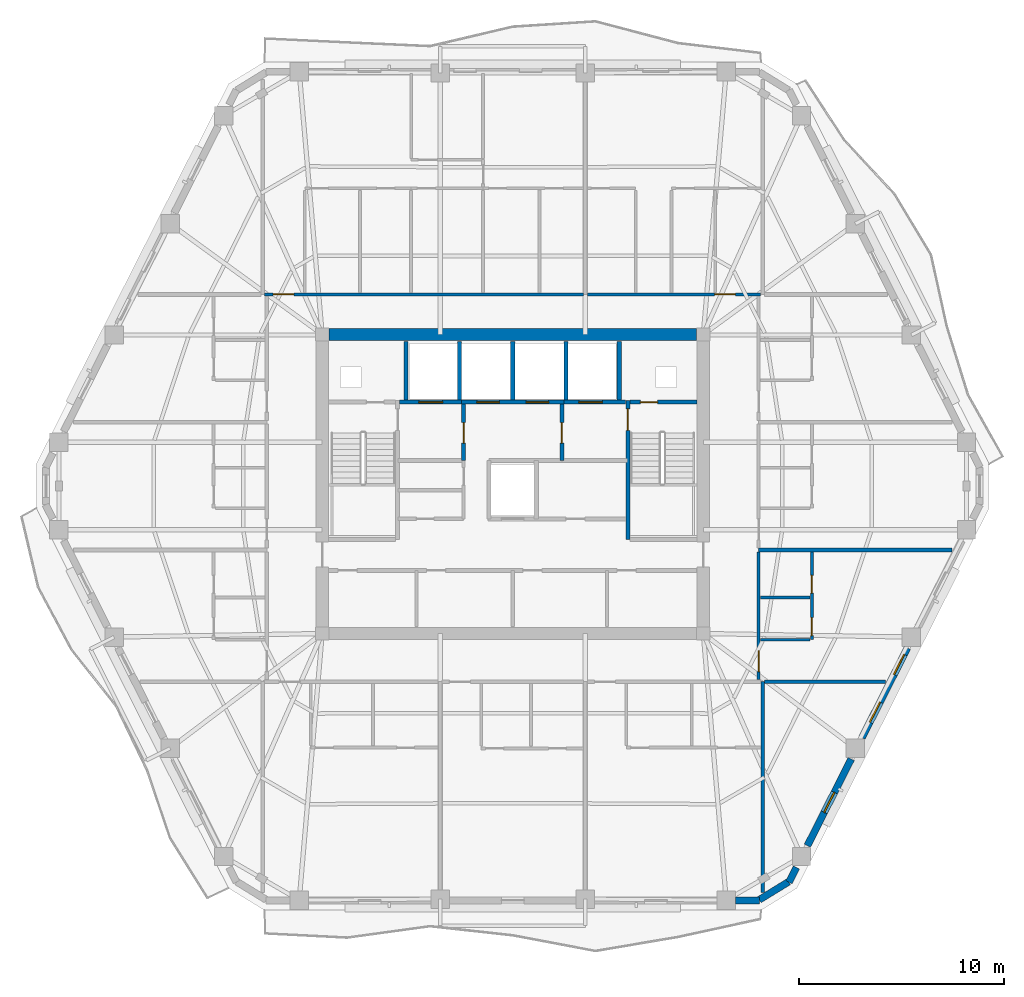
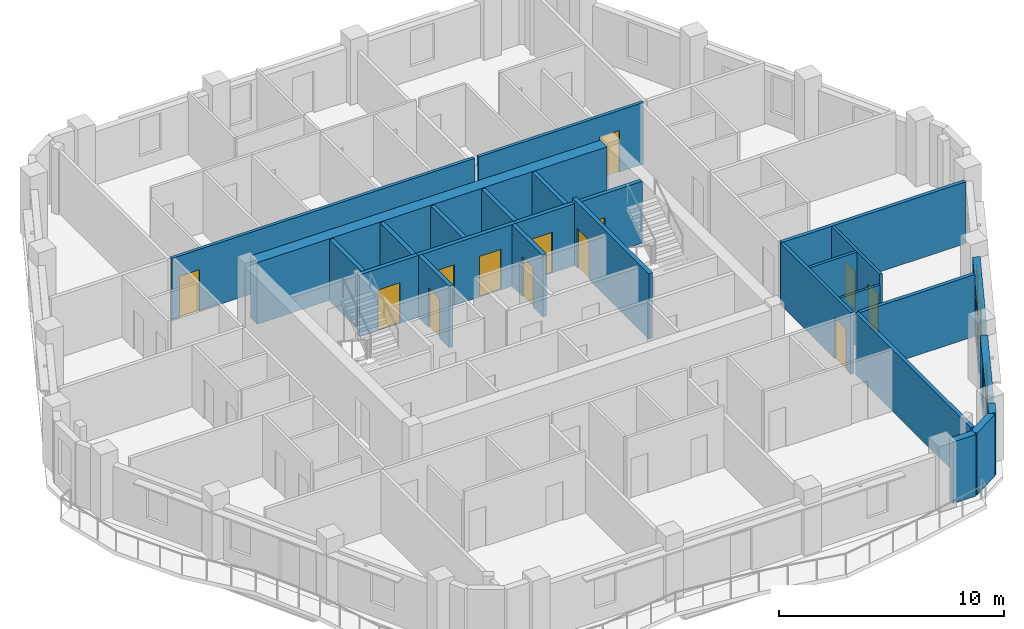
# One storey, part 6 of 11: 27 walls, 13 doors, 3 windows, 16 openings.
"""IFC4 building model written with IfcOpenShell, lengths in metres."""

from ifc_helpers import new_model, si_unit, direction, frame, frame_2d, origin, place, context, subcontext, project, spatial, rectangle, extrude, material, layer, layer_set, type_object, element, fill, save


model = new_model("IFC4")

# Units and contexts
model_context = context("Model", 3, precision=1e-05, world=origin(), true_north=direction((0.0, 1.0)))
body_context = subcontext(model_context, "Body", "Model", "MODEL_VIEW")
ifc_project = project(units=[si_unit("LENGTHUNIT", "METRE"), si_unit("AREAUNIT", "SQUARE_METRE"), si_unit("VOLUMEUNIT", "CUBIC_METRE"), si_unit("PLANEANGLEUNIT", "RADIAN"), si_unit("MASSUNIT", "GRAM", prefix="KILO")], contexts=[model_context])

# Site, building, storey
site_placement = place(None, origin())
site = spatial("IfcSite", under=ifc_project, at=site_placement, CompositionType="ELEMENT")
building_placement = place(site_placement, origin())
building = spatial("IfcBuilding", under=site, at=building_placement, Name="Cinnabar Lancet Tower", CompositionType="ELEMENT")
storey_placement = place(building_placement, frame((0.0, 0.0, 200.300048828125)))
storey = spatial("IfcBuildingStorey", under=building, at=storey_placement, Name="L53", CompositionType="ELEMENT", Elevation=200.300048828125)

# Wall, opening, door
ifc_material_1 = material(Name="Acoustic twin-stud gypsum partition", Category="gypsum")
ifc_layer_1 = layer(ifc_material_1, 0.159912109375)
ifc_layer_set_1 = layer_set([ifc_layer_1], Name="Acoustic twin-stud gypsum partition")
wall_type_1 = type_object("IfcWallType", Name="ARC-WL-CORR-160", PredefinedType="PARTITIONING", material=ifc_layer_set_1)
wall_1_placement = place(storey_placement, frame((20.294921875, 35.14990234375, 0.0), z_axis=(0.0, 0.0, 1.0), x_axis=(1.0, 0.0, 0.0)))
wall_1 = element("IfcWall", 1, at=wall_1_placement, inside=storey, type_object=wall_type_1, Name="L53 Unit N01 Corridor Wall", PredefinedType="PARTITIONING", context=body_context, shape_type="SweptSolid", body=[
    extrude(rectangle(XDim=15.552978515625, YDim=0.159912109375, at=frame_2d((7.7763671875, 0.0))), origin(), (0.0, 0.0, 1.0), 3.349853515625),
])
opening_1_placement = place(wall_1_placement, frame((0.405029296875, 0.0, 0.0)))
opening_1 = element("IfcOpeningElement", 2, at=opening_1_placement, cuts=wall_1, Name="Opening UD-01", PredefinedType="OPENING", context=body_context, shape_type="SweptSolid", body=[
    extrude(rectangle(XDim=1.02001953125, YDim=2.25, at=frame_2d((0.510009765625, 1.125))), frame((0.0, 0.08984375, 0.0), z_axis=(0.0, -1.0, 0.0), x_axis=(1.0, 0.0, 0.0)), (0.0, 0.0, 1.0), 0.179931640625),
])
ifc_material_2 = material(Name="Solid timber fire-rated apartment entrance door", Category="wood")
door_type_1 = type_object("IfcDoorType", Name="ARC-DR-UNIT", OperationType="NOTDEFINED", PredefinedType="DOOR", material=ifc_material_2)
door_1_placement = place(opening_1_placement, origin())
door_1 = element("IfcDoor", 3, at=door_1_placement, inside=storey, type_object=door_type_1, Name="DR-L53-N01-ENT", OperationType="SINGLE_SWING_RIGHT", OverallHeight=2.25, OverallWidth=1.02001953125, PredefinedType="DOOR", context=body_context, shape_type="SweptSolid", body=[
    extrude(rectangle(XDim=1.02001953125, YDim=2.25, at=frame_2d((0.510009765625, 1.125))), frame((0.0, 0.02490234375, 0.0), z_axis=(0.0, -1.0, 0.0), x_axis=(1.0, 0.0, 0.0)), (0.0, 0.0, 1.0), 0.050048828125),
])
fill(opening_1, door_1)

wall_2_placement = place(storey_placement, frame((36.0380859375, 35.14990234375, 0.0), z_axis=(0.0, 0.0, 1.0), x_axis=(1.0, 0.0, 0.0)))
wall_2 = element("IfcWall", 4, at=wall_2_placement, inside=storey, type_object=wall_type_1, Name="L53 Unit N02 Corridor Wall", PredefinedType="PARTITIONING", context=body_context, shape_type="SweptSolid", body=[
    extrude(rectangle(XDim=8.466796875, YDim=0.159912109375, at=frame_2d((4.2333984375, 0.0))), origin(), (0.0, 0.0, 1.0), 3.349853515625),
])
opening_2_placement = place(wall_2_placement, frame((6.2119140625, 0.0, 0.0)))
opening_2 = element("IfcOpeningElement", 5, at=opening_2_placement, cuts=wall_2, Name="Opening UD-01", PredefinedType="OPENING", context=body_context, shape_type="SweptSolid", body=[
    extrude(rectangle(XDim=1.02001953125, YDim=2.25, at=frame_2d((0.510009765625, 1.125))), frame((0.0, 0.08984375, 0.0), z_axis=(0.0, -1.0, 0.0), x_axis=(1.0, 0.0, 0.0)), (0.0, 0.0, 1.0), 0.179931640625),
])
door_2_placement = place(opening_2_placement, origin())
door_2 = element("IfcDoor", 6, at=door_2_placement, inside=storey, type_object=door_type_1, Name="DR-L53-N02-ENT", OperationType="SINGLE_SWING_LEFT", OverallHeight=2.25, OverallWidth=1.02001953125, PredefinedType="DOOR", context=body_context, shape_type="SweptSolid", body=[
    extrude(rectangle(XDim=1.02001953125, YDim=2.25, at=frame_2d((0.510009765625, 1.125))), frame((0.0, 0.02490234375, 0.0), z_axis=(0.0, -1.0, 0.0), x_axis=(1.0, 0.0, 0.0)), (0.0, 0.0, 1.0), 0.050048828125),
])
fill(opening_2, door_2)

wall_3_placement = place(storey_placement, frame((44.39990234375, 16.344970703125, 0.0), z_axis=(0.0, 0.0, 1.0), x_axis=(0.0, 1.0, 0.0)))
wall_3 = element("IfcWall", 7, at=wall_3_placement, inside=storey, type_object=wall_type_1, Name="UW-L53-E01-COR", PredefinedType="PARTITIONING", context=body_context, shape_type="SweptSolid", body=[
    extrude(rectangle(XDim=6.236083984375, YDim=0.159912109375, at=frame_2d((3.1181640625, 0.0))), origin(), (0.0, 0.0, 1.0), 3.349853515625),
])
opening_3_placement = place(wall_3_placement, frame((0.39990234375, 0.0, 0.0)))
opening_3 = element("IfcOpeningElement", 8, at=opening_3_placement, cuts=wall_3, Name="Opening UD-01", PredefinedType="OPENING", context=body_context, shape_type="SweptSolid", body=[
    extrude(rectangle(XDim=1.02001953125, YDim=2.25, at=frame_2d((0.510009765625, 1.125))), frame((0.0, 0.08984375, 0.0), z_axis=(0.0, -1.0, 0.0), x_axis=(1.0, 0.0, 0.0)), (0.0, 0.0, 1.0), 0.179931640625),
])
door_3_placement = place(opening_3_placement, origin())
door_3 = element("IfcDoor", 9, at=door_3_placement, inside=storey, type_object=door_type_1, Name="DR-L53-E01-ENT", OperationType="SINGLE_SWING_RIGHT", OverallHeight=2.25, OverallWidth=1.02001953125, PredefinedType="DOOR", context=body_context, shape_type="SweptSolid", body=[
    extrude(rectangle(XDim=1.02001953125, YDim=2.25, at=frame_2d((0.510009765625, 1.125))), frame((0.0, 0.02490234375, 0.0), z_axis=(0.0, -1.0, 0.0), x_axis=(1.0, 0.0, 0.0)), (0.0, 0.0, 1.0), 0.050048828125),
])
fill(opening_3, door_3)

# Walls
ifc_material_3 = material(Name="Fire-rated twin-frame acoustic drywall", Category="gypsum")
ifc_layer_2 = layer(ifc_material_3, 0.179931640625)
ifc_layer_set_2 = layer_set([ifc_layer_2], Name="Fire-rated twin-frame acoustic drywall")
wall_type_2 = type_object("IfcWallType", Name="ARC-WL-PARTY-180", PredefinedType="PARTITIONING", material=ifc_layer_set_2)
wall_4_placement = place(storey_placement, frame((44.60009765625, 5.968017578125, 0.0), z_axis=(0.0, 0.0, 1.0), x_axis=(0.0, 1.0, 0.0)))
element("IfcWall", 10, at=wall_4_placement, inside=storey, type_object=wall_type_2, Name="PW-L53-SPTY-446", PredefinedType="PARTITIONING", context=body_context, shape_type="SweptSolid", body=[
    extrude(rectangle(XDim=10.281982421875, YDim=0.179931640625, at=frame_2d((5.14111328125, 0.0))), origin(), (0.0, 0.0, 1.0), 3.349853515625),
])
wall_5_placement = place(storey_placement, frame((44.695068359375, 16.25, 0.0), z_axis=(0.0, 0.0, 1.0), x_axis=(1.0, 0.0, 0.0)))
element("IfcWall", 11, at=wall_5_placement, inside=storey, type_object=wall_type_2, Name="PW-L53-ESB", PredefinedType="PARTITIONING", context=body_context, shape_type="SweptSolid", body=[
    extrude(rectangle(XDim=5.89404296875, YDim=0.179931640625, at=frame_2d((2.947021484375, 0.0))), origin(), (0.0, 0.0, 1.0), 3.349853515625),
])
wall_6_placement = place(storey_placement, frame((44.39990234375, 22.676025390625, 0.0), z_axis=(0.0, 0.0, 1.0), x_axis=(1.0, 0.0, 0.0)))
element("IfcWall", 12, at=wall_6_placement, inside=storey, type_object=wall_type_2, Name="PW-L53-EPTY-1", PredefinedType="PARTITIONING", context=body_context, shape_type="SweptSolid", body=[
    extrude(rectangle(XDim=9.440185546875, YDim=0.179931640625, at=frame_2d((4.72021484375, 0.0))), origin(), (0.0, 0.0, 1.0), 3.349853515625),
])

# Wall, opening, door
ifc_material_4 = material(Name="Autoclaved aerated concrete blockwork", Category="masonry")
ifc_layer_3 = layer(ifc_material_4, 0.199951171875)
ifc_layer_set_3 = layer_set([ifc_layer_3], Name="Autoclaved aerated concrete blockwork")
wall_type_3 = type_object("IfcWallType", Name="ARC-WL-SHAFT-200", PredefinedType="PLUMBINGWALL", material=ifc_layer_set_3)
wall_7_placement = place(storey_placement, frame((26.885009765625, 29.89990234375, 0.0), z_axis=(0.0, 0.0, 1.0), x_axis=(1.0, 0.0, 0.0)))
wall_7 = element("IfcWall", 13, at=wall_7_placement, inside=storey, type_object=wall_type_3, Name="CW-FL1-L53", PredefinedType="PLUMBINGWALL", context=body_context, shape_type="SweptSolid", body=[
    extrude(rectangle(XDim=3.014892578125, YDim=0.199951171875, at=frame_2d((1.50732421875, 0.0))), origin(), (0.0, 0.0, 1.0), 3.349853515625),
])
opening_4_placement = place(wall_7_placement, frame((0.93994140625, 0.0, 0.0)))
opening_4 = element("IfcOpeningElement", 14, at=opening_4_placement, cuts=wall_7, Name="Opening LD-02", PredefinedType="OPENING", context=body_context, shape_type="SweptSolid", body=[
    extrude(rectangle(XDim=1.14990234375, YDim=2.199951171875, at=frame_2d((0.574951171875, 1.10009765625))), frame((0.0, 0.10986328125, 0.0), z_axis=(0.0, -1.0, 0.0), x_axis=(1.0, 0.0, 0.0)), (0.0, 0.0, 1.0), 0.219970703125),
])
ifc_material_5 = material(Name="Fire-rated stainless steel firefighting lift landing door", Category="steel")
door_type_2 = type_object("IfcDoorType", Name="ARC-DR-LD-FIRE", OperationType="NOTDEFINED", PredefinedType="DOOR", material=ifc_material_5)
door_4_placement = place(opening_4_placement, origin())
door_4 = element("IfcDoor", 15, at=door_4_placement, inside=storey, type_object=door_type_2, Name="L53 Firefighting Lift FL-1 Landing Door", OperationType="DOUBLE_DOOR_SLIDING", OverallHeight=2.199951171875, OverallWidth=1.14990234375, PredefinedType="DOOR", context=body_context, shape_type="SweptSolid", body=[
    extrude(rectangle(XDim=1.14990234375, YDim=2.199951171875, at=frame_2d((0.574951171875, 1.10009765625))), frame((0.0, 0.02490234375, 0.0), z_axis=(0.0, -1.0, 0.0), x_axis=(1.0, 0.0, 0.0)), (0.0, 0.0, 1.0), 0.050048828125),
])
fill(opening_4, door_4)

# Wall, openings, doors
wall_8_placement = place(storey_placement, frame((29.89990234375, 29.89990234375, 0.0), z_axis=(0.0, 0.0, 1.0), x_axis=(1.0, 0.0, 0.0)))
wall_8 = element("IfcWall", 16, at=wall_8_placement, inside=storey, type_object=wall_type_3, Name="CW-PL78-L53", PredefinedType="PLUMBINGWALL", context=body_context, shape_type="SweptSolid", body=[
    extrude(rectangle(XDim=5.0, YDim=0.199951171875, at=frame_2d((2.5, 0.0))), origin(), (0.0, 0.0, 1.0), 3.349853515625),
])
opening_5_placement = place(wall_8_placement, frame((0.75, 0.0, 0.0)))
opening_5 = element("IfcOpeningElement", 17, at=opening_5_placement, cuts=wall_8, Name="Opening LD-01", PredefinedType="OPENING", context=body_context, shape_type="SweptSolid", body=[
    extrude(rectangle(XDim=1.10009765625, YDim=2.199951171875, at=frame_2d((0.550048828125, 1.10009765625))), frame((0.0, 0.10986328125, 0.0), z_axis=(0.0, -1.0, 0.0), x_axis=(1.0, 0.0, 0.0)), (0.0, 0.0, 1.0), 0.219970703125),
])
opening_6_placement = place(wall_8_placement, frame((3.14990234375, 0.0, 0.0)))
opening_6 = element("IfcOpeningElement", 18, at=opening_6_placement, cuts=wall_8, Name="Opening LD-01", PredefinedType="OPENING", context=body_context, shape_type="SweptSolid", body=[
    extrude(rectangle(XDim=1.10009765625, YDim=2.199951171875, at=frame_2d((0.550048828125, 1.10009765625))), frame((0.0, 0.10986328125, 0.0), z_axis=(0.0, -1.0, 0.0), x_axis=(1.0, 0.0, 0.0)), (0.0, 0.0, 1.0), 0.219970703125),
])
ifc_material_6 = material(Name="Brushed stainless steel sliding lift door", Category="steel")
door_type_3 = type_object("IfcDoorType", Name="ARC-DR-LD-PASS", OperationType="NOTDEFINED", PredefinedType="DOOR", material=ifc_material_6)
door_5_placement = place(opening_5_placement, origin())
door_5 = element("IfcDoor", 19, at=door_5_placement, inside=storey, type_object=door_type_3, Name="L53 Lift PL-7 Landing Door", OperationType="DOUBLE_DOOR_SLIDING", OverallHeight=2.199951171875, OverallWidth=1.10009765625, PredefinedType="DOOR", context=body_context, shape_type="SweptSolid", body=[
    extrude(rectangle(XDim=1.10009765625, YDim=2.199951171875, at=frame_2d((0.550048828125, 1.10009765625))), frame((0.0, 0.02490234375, 0.0), z_axis=(0.0, -1.0, 0.0), x_axis=(1.0, 0.0, 0.0)), (0.0, 0.0, 1.0), 0.050048828125),
])
fill(opening_5, door_5)
door_6_placement = place(opening_6_placement, origin())
door_6 = element("IfcDoor", 20, at=door_6_placement, inside=storey, type_object=door_type_3, Name="L53 Lift PL-8 Landing Door", OperationType="DOUBLE_DOOR_SLIDING", OverallHeight=2.199951171875, OverallWidth=1.10009765625, PredefinedType="DOOR", context=body_context, shape_type="SweptSolid", body=[
    extrude(rectangle(XDim=1.10009765625, YDim=2.199951171875, at=frame_2d((0.550048828125, 1.10009765625))), frame((0.0, 0.02490234375, 0.0), z_axis=(0.0, -1.0, 0.0), x_axis=(1.0, 0.0, 0.0)), (0.0, 0.0, 1.0), 0.050048828125),
])
fill(opening_6, door_6)

# Wall, opening, door
wall_9_placement = place(storey_placement, frame((34.89990234375, 29.89990234375, 0.0), z_axis=(0.0, 0.0, 1.0), x_axis=(1.0, 0.0, 0.0)))
wall_9 = element("IfcWall", 21, at=wall_9_placement, inside=storey, type_object=wall_type_3, Name="CW-FL2-L53", PredefinedType="PLUMBINGWALL", context=body_context, shape_type="SweptSolid", body=[
    extrude(rectangle(XDim=3.01513671875, YDim=0.199951171875, at=frame_2d((1.507568359375, 0.0))), origin(), (0.0, 0.0, 1.0), 3.349853515625),
])
opening_7_placement = place(wall_9_placement, frame((0.72509765625, 0.0, 0.0)))
opening_7 = element("IfcOpeningElement", 22, at=opening_7_placement, cuts=wall_9, Name="Opening LD-02", PredefinedType="OPENING", context=body_context, shape_type="SweptSolid", body=[
    extrude(rectangle(XDim=1.14990234375, YDim=2.199951171875, at=frame_2d((0.574951171875, 1.10009765625))), frame((0.0, 0.10986328125, 0.0), z_axis=(0.0, -1.0, 0.0), x_axis=(1.0, 0.0, 0.0)), (0.0, 0.0, 1.0), 0.219970703125),
])
door_7_placement = place(opening_7_placement, origin())
door_7 = element("IfcDoor", 23, at=door_7_placement, inside=storey, type_object=door_type_2, Name="L53 Firefighting Lift FL-2 Landing Door", OperationType="DOUBLE_DOOR_SLIDING", OverallHeight=2.199951171875, OverallWidth=1.14990234375, PredefinedType="DOOR", context=body_context, shape_type="SweptSolid", body=[
    extrude(rectangle(XDim=1.14990234375, YDim=2.199951171875, at=frame_2d((0.574951171875, 1.10009765625))), frame((0.0, 0.02490234375, 0.0), z_axis=(0.0, -1.0, 0.0), x_axis=(1.0, 0.0, 0.0)), (0.0, 0.0, 1.0), 0.050048828125),
])
fill(opening_7, door_7)

wall_10_placement = place(storey_placement, frame((38.125, 29.89990234375, 0.0), z_axis=(0.0, 0.0, 1.0), x_axis=(1.0, 0.0, 0.0)))
wall_10 = element("IfcWall", 24, at=wall_10_placement, inside=storey, type_object=wall_type_3, Name="CW-NSH-E-L53", PredefinedType="PLUMBINGWALL", context=body_context, shape_type="SweptSolid", body=[
    extrude(rectangle(XDim=3.27001953125, YDim=0.199951171875, at=frame_2d((1.635009765625, 0.0))), origin(), (0.0, 0.0, 1.0), 3.349853515625),
])
opening_8_placement = place(wall_10_placement, frame((0.5, 0.0, 0.0)))
opening_8 = element("IfcOpeningElement", 25, at=opening_8_placement, cuts=wall_10, Name="Opening PD-02", PredefinedType="OPENING", context=body_context, shape_type="SweptSolid", body=[
    extrude(rectangle(XDim=0.85009765625, YDim=2.050048828125, at=frame_2d((0.425048828125, 1.02490234375))), frame((0.0, 0.10986328125, 0.0), z_axis=(0.0, -1.0, 0.0), x_axis=(1.0, 0.0, 0.0)), (0.0, 0.0, 1.0), 0.219970703125),
])
ifc_material_7 = material(Name="Fire-rated steel riser access door", Category="steel")
door_type_4 = type_object("IfcDoorType", Name="ARC-DR-RISER", OperationType="NOTDEFINED", PredefinedType="DOOR", material=ifc_material_7)
door_8_placement = place(opening_8_placement, origin())
door_8 = element("IfcDoor", 26, at=door_8_placement, inside=storey, type_object=door_type_4, Name="L53 East Riser Access Door", OperationType="SINGLE_SWING_RIGHT", OverallHeight=2.050048828125, OverallWidth=0.85009765625, PredefinedType="DOOR", context=body_context, shape_type="SweptSolid", body=[
    extrude(rectangle(XDim=0.85009765625, YDim=2.050048828125, at=frame_2d((0.425048828125, 1.02490234375))), frame((0.0, 0.02490234375, 0.0), z_axis=(0.0, -1.0, 0.0), x_axis=(1.0, 0.0, 0.0)), (0.0, 0.0, 1.0), 0.050048828125),
])
fill(opening_8, door_8)

# Walls
for number, where, z_axis, x_axis, name in (
    (27, (27.199951171875, 30.0, 0.0), (0.0, 0.0, 1.0), (0.0, 1.0, 0.0), "CW-NSH-D1-L53"),
    (28, (29.800048828125, 30.0, 0.0), (0.0, 0.0, 1.0), (0.0, 1.0, 0.0), "CW-NSH-D2-L53"),
    (29, (32.39990234375, 30.0, 0.0), (0.0, 0.0, 1.0), (0.0, 1.0, 0.0), "CW-NSH-D3-L53"),
    (30, (35.0, 30.0, 0.0), (0.0, 0.0, 1.0), (0.0, 1.0, 0.0), "CW-NSH-D4-L53"),
    (31, (37.60009765625, 30.0, 0.0), (0.0, 0.0, 1.0), (0.0, 1.0, 0.0), "CW-NSH-D5-L53"),
):
    element("IfcWall", number, at=place(storey_placement, frame(where, z_axis=z_axis, x_axis=x_axis)), inside=storey, type_object=wall_type_3, Name=name, PredefinedType="PLUMBINGWALL", context=body_context, shape_type="SweptSolid", body=[
        extrude(rectangle(XDim=2.85009765625, YDim=0.199951171875, at=frame_2d((1.425048828125, 0.0))), origin(), (0.0, 0.0, 1.0), 3.349853515625),
    ])

# Wall, opening, door
wall_11_placement = place(storey_placement, frame((30.0, 27.050048828125, 0.0), z_axis=(0.0, 0.0, 1.0), x_axis=(0.0, 1.0, 0.0)))
wall_11 = element("IfcWall", 32, at=wall_11_placement, inside=storey, type_object=wall_type_3, Name="CW-FF1E-L53", PredefinedType="PLUMBINGWALL", context=body_context, shape_type="SweptSolid", body=[
    extrude(rectangle(XDim=2.75, YDim=0.199951171875, at=frame_2d((1.375, 0.0))), origin(), (0.0, 0.0, 1.0), 3.349853515625),
])
opening_9_placement = place(wall_11_placement, frame((0.85009765625, 0.0, 0.0)))
opening_9 = element("IfcOpeningElement", 33, at=opening_9_placement, cuts=wall_11, Name="Opening FD-01", PredefinedType="OPENING", context=body_context, shape_type="SweptSolid", body=[
    extrude(rectangle(XDim=1.0, YDim=2.14990234375, at=frame_2d((0.5, 1.074951171875))), frame((0.0, 0.10986328125, 0.0), z_axis=(0.0, -1.0, 0.0), x_axis=(1.0, 0.0, 0.0)), (0.0, 0.0, 1.0), 0.219970703125),
])
ifc_material_8 = material(Name="Fire-rated timber-core lobby door", Category="wood")
door_type_5 = type_object("IfcDoorType", Name="ARC-DR-FFAL", OperationType="NOTDEFINED", PredefinedType="DOOR", material=ifc_material_8)
door_9_placement = place(opening_9_placement, origin())
door_9 = element("IfcDoor", 34, at=door_9_placement, inside=storey, type_object=door_type_5, Name="L53 FFAL-1 Lobby Fire Door", OperationType="SINGLE_SWING_RIGHT", OverallHeight=2.14990234375, OverallWidth=1.0, PredefinedType="DOOR", context=body_context, shape_type="SweptSolid", body=[
    extrude(rectangle(XDim=1.0, YDim=2.14990234375, at=frame_2d((0.5, 1.074951171875))), frame((0.0, 0.02490234375, 0.0), z_axis=(0.0, -1.0, 0.0), x_axis=(1.0, 0.0, 0.0)), (0.0, 0.0, 1.0), 0.050048828125),
])
fill(opening_9, door_9)

wall_12_placement = place(storey_placement, frame((34.800048828125, 27.050048828125, 0.0), z_axis=(0.0, 0.0, 1.0), x_axis=(0.0, 1.0, 0.0)))
wall_12 = element("IfcWall", 35, at=wall_12_placement, inside=storey, type_object=wall_type_3, Name="CW-FF2W-L53", PredefinedType="PLUMBINGWALL", context=body_context, shape_type="SweptSolid", body=[
    extrude(rectangle(XDim=2.75, YDim=0.199951171875, at=frame_2d((1.375, 0.0))), origin(), (0.0, 0.0, 1.0), 3.349853515625),
])
opening_10_placement = place(wall_12_placement, frame((0.85009765625, 0.0, 0.0)))
opening_10 = element("IfcOpeningElement", 36, at=opening_10_placement, cuts=wall_12, Name="Opening FD-01", PredefinedType="OPENING", context=body_context, shape_type="SweptSolid", body=[
    extrude(rectangle(XDim=1.0, YDim=2.14990234375, at=frame_2d((0.5, 1.074951171875))), frame((0.0, 0.10986328125, 0.0), z_axis=(0.0, -1.0, 0.0), x_axis=(1.0, 0.0, 0.0)), (0.0, 0.0, 1.0), 0.219970703125),
])
door_10_placement = place(opening_10_placement, origin())
door_10 = element("IfcDoor", 37, at=door_10_placement, inside=storey, type_object=door_type_5, Name="L53 FFAL-2 Lobby Fire Door", OperationType="SINGLE_SWING_LEFT", OverallHeight=2.14990234375, OverallWidth=1.0, PredefinedType="DOOR", context=body_context, shape_type="SweptSolid", body=[
    extrude(rectangle(XDim=1.0, YDim=2.14990234375, at=frame_2d((0.5, 1.074951171875))), frame((0.0, 0.02490234375, 0.0), z_axis=(0.0, -1.0, 0.0), x_axis=(1.0, 0.0, 0.0)), (0.0, 0.0, 1.0), 0.050048828125),
])
fill(opening_10, door_10)

# Wall
ifc_material_9 = material(Name="Gypsum plasterboard stud partition", Category="gypsum")
ifc_layer_4 = layer(ifc_material_9, 0.125)
ifc_layer_set_4 = layer_set([ifc_layer_4], Name="Gypsum plasterboard stud partition")
wall_type_4 = type_object("IfcWallType", Name="ARC-WL-UNIT-125", PredefinedType="PARTITIONING", material=ifc_layer_set_4)
wall_13_placement = place(storey_placement, frame((44.485107421875, 18.300048828125, 0.0), z_axis=(0.0, 0.0, 1.0), x_axis=(1.0, 0.0, 0.0)))
element("IfcWall", 38, at=wall_13_placement, inside=storey, type_object=wall_type_4, Name="UW-L53-E01-FOYN", PredefinedType="PARTITIONING", context=body_context, shape_type="SweptSolid", body=[
    extrude(rectangle(XDim=2.429931640625, YDim=0.125, at=frame_2d((1.21484375, 0.0))), origin(), (0.0, 0.0, 1.0), 2.806884765625),
])

# Wall, openings, doors
ifc_material_10 = material(Name="Moisture-resistant cement-board plumbing wall", Category="masonry")
ifc_layer_5 = layer(ifc_material_10, 0.139892578125)
ifc_layer_set_5 = layer_set([ifc_layer_5], Name="Moisture-resistant cement-board plumbing wall")
wall_type_5 = type_object("IfcWallType", Name="ARC-WL-WET-140", PredefinedType="PLUMBINGWALL", material=ifc_layer_set_5)
wall_14_placement = place(storey_placement, frame((47.0, 18.300048828125, 0.0), z_axis=(0.0, 0.0, 1.0), x_axis=(0.0, 1.0, 0.0)))
wall_14 = element("IfcWall", 39, at=wall_14_placement, inside=storey, type_object=wall_type_5, Name="UW-L53-E01-SPL", PredefinedType="PLUMBINGWALL", context=body_context, shape_type="SweptSolid", body=[
    extrude(rectangle(XDim=4.281005859375, YDim=0.139892578125, at=frame_2d((2.140625, 0.0))), origin(), (0.0, 0.0, 1.0), 3.349853515625),
])
opening_11_placement = place(wall_14_placement, frame((2.27490234375, 0.0, 0.0)))
opening_11 = element("IfcOpeningElement", 40, at=opening_11_placement, cuts=wall_14, Name="Opening BD-01", PredefinedType="OPENING", context=body_context, shape_type="SweptSolid", body=[
    extrude(rectangle(XDim=0.860107421875, YDim=2.10009765625, at=frame_2d((0.43017578125, 1.050048828125))), frame((0.0, 0.079833984375, 0.0), z_axis=(0.0, -1.0, 0.0), x_axis=(1.0, 0.0, 0.0)), (0.0, 0.0, 1.0), 0.159912109375),
])
opening_12_placement = place(wall_14_placement, frame((0.199951171875, 0.0, 0.0)))
opening_12 = element("IfcOpeningElement", 41, at=opening_12_placement, cuts=wall_14, Name="Opening RD-02", PredefinedType="OPENING", context=body_context, shape_type="SweptSolid", body=[
    extrude(rectangle(XDim=0.8798828125, YDim=2.14990234375, at=frame_2d((0.43994140625, 1.074951171875))), frame((0.0, 0.079833984375, 0.0), z_axis=(0.0, -1.0, 0.0), x_axis=(1.0, 0.0, 0.0)), (0.0, 0.0, 1.0), 0.159912109375),
])
ifc_material_11 = material(Name="Moisture-resistant timber bathroom door", Category="wood")
door_type_6 = type_object("IfcDoorType", Name="ARC-DR-BATH", OperationType="NOTDEFINED", PredefinedType="DOOR", material=ifc_material_11)
door_11_placement = place(opening_11_placement, origin())
door_11 = element("IfcDoor", 42, at=door_11_placement, inside=storey, type_object=door_type_6, Name="DR-L53-E01-BTH", OperationType="SINGLE_SWING_RIGHT", OverallHeight=2.10009765625, OverallWidth=0.860107421875, PredefinedType="DOOR", context=body_context, shape_type="SweptSolid", body=[
    extrude(rectangle(XDim=0.860107421875, YDim=2.10009765625, at=frame_2d((0.43017578125, 1.050048828125))), frame((0.0, 0.02490234375, 0.0), z_axis=(0.0, -1.0, 0.0), x_axis=(1.0, 0.0, 0.0)), (0.0, 0.0, 1.0), 0.050048828125),
])
fill(opening_11, door_11)
ifc_material_12 = material(Name="Engineered timber study door", Category="wood")
door_type_7 = type_object("IfcDoorType", Name="ARC-DR-STUDY", OperationType="NOTDEFINED", PredefinedType="DOOR", material=ifc_material_12)
door_12_placement = place(opening_12_placement, origin())
door_12 = element("IfcDoor", 43, at=door_12_placement, inside=storey, type_object=door_type_7, Name="DR-L53-E01-KIT", OperationType="SINGLE_SWING_LEFT", OverallHeight=2.14990234375, OverallWidth=0.8798828125, PredefinedType="DOOR", context=body_context, shape_type="SweptSolid", body=[
    extrude(rectangle(XDim=0.8798828125, YDim=2.14990234375, at=frame_2d((0.43994140625, 1.074951171875))), frame((0.0, 0.02490234375, 0.0), z_axis=(0.0, -1.0, 0.0), x_axis=(1.0, 0.0, 0.0)), (0.0, 0.0, 1.0), 0.050048828125),
])
fill(opening_12, door_12)

# Walls
wall_15_placement = place(storey_placement, frame((44.485107421875, 20.35498046875, 0.0), z_axis=(0.0, 0.0, 1.0), x_axis=(1.0, 0.0, 0.0)))
element("IfcWall", 44, at=wall_15_placement, inside=storey, type_object=wall_type_5, Name="UW-L53-E01-KDV", PredefinedType="PLUMBINGWALL", context=body_context, shape_type="SweptSolid", body=[
    extrude(rectangle(XDim=2.429931640625, YDim=0.139892578125, at=frame_2d((1.21484375, 0.0))), origin(), (0.0, 0.0, 1.0), 3.349853515625),
])
ifc_material_13 = material(Name="Cinnabar red clay brick", Category="masonry")
ifc_layer_6 = layer(ifc_material_13, 0.340087890625)
ifc_layer_set_6 = layer_set([ifc_layer_6], Name="Cinnabar red clay brick")
wall_type_6 = type_object("IfcWallType", Name="ENV-WL-BRK-RED-340", PredefinedType="STANDARD", material=ifc_layer_set_6)
wall_16_placement = place(storey_placement, frame((44.43310546875, 5.60498046875, 0.0), z_axis=(0.0, 0.0, 1.0), x_axis=(0.851778214877, 0.523902541185, 0.0)))
element("IfcWall", 45, at=wall_16_placement, inside=storey, type_object=wall_type_6, Name="L53 Chamfered Corner Brick Pier 2.1", PredefinedType="STANDARD", context=body_context, shape_type="SweptSolid", body=[
    extrude(rectangle(XDim=1.677734375, YDim=0.340087890625, at=frame_2d((0.8388671875, 0.0))), origin(), (0.0, 0.0, 1.0), 3.349853515625),
])
wall_17_placement = place(storey_placement, frame((43.27490234375, 5.580078125, 0.0), z_axis=(0.0, 0.0, 1.0), x_axis=(1.0, 0.0, 0.0)))
element("IfcWall", 46, at=wall_17_placement, inside=storey, type_object=wall_type_6, Name="L53 Face 1 Masonry Bay Wall 5", PredefinedType="STANDARD", context=body_context, shape_type="SweptSolid", body=[
    extrude(rectangle(XDim=1.1630859375, YDim=0.340087890625, at=frame_2d((0.58154296875, 0.0))), origin(), (0.0, 0.0, 1.0), 3.349853515625),
])
wall_18_placement = place(storey_placement, frame((45.882080078125, 6.468017578125, 0.0), z_axis=(0.0, 0.0, 1.0), x_axis=(0.451691568309, 0.892174157392, 0.0)))
element("IfcWall", 47, at=wall_18_placement, inside=storey, type_object=wall_type_6, Name="L53 Face 2 Masonry Bay Wall 1", PredefinedType="STANDARD", context=body_context, shape_type="SweptSolid", body=[
    extrude(rectangle(XDim=0.805908203125, YDim=0.340087890625, at=frame_2d((0.40283203125, 0.0))), origin(), (0.0, 0.0, 1.0), 3.349853515625),
])

# Wall, opening, window
wall_19_placement = place(storey_placement, frame((46.782958984375, 8.2490234375, 0.0), z_axis=(0.0, 0.0, 1.0), x_axis=(0.451522864045, 0.892259549259, 0.0)))
wall_19 = element("IfcWall", 48, at=wall_19_placement, inside=storey, type_object=wall_type_6, Name="L53 Face 2 Masonry Bay Wall 2", PredefinedType="STANDARD", context=body_context, shape_type="SweptSolid", body=[
    extrude(rectangle(XDim=4.730712890625, YDim=0.340087890625, at=frame_2d((2.365234375, 0.0))), origin(), (0.0, 0.0, 1.0), 2.883056640625),
])
opening_13_placement = place(wall_19_placement, frame((1.81494140625, 0.0, 0.75)))
opening_13 = element("IfcOpeningElement", 49, at=opening_13_placement, cuts=wall_19, Name="Opening WN-04", PredefinedType="OPENING", context=body_context, shape_type="SweptSolid", body=[
    extrude(rectangle(XDim=1.10009765625, YDim=1.98291015625, at=frame_2d((0.550048828125, 0.991455078125))), frame((0.0, 0.179931640625, 0.0), z_axis=(0.0, -1.0, 0.0), x_axis=(1.0, 0.0, 0.0)), (0.0, 0.0, 1.0), 0.360107421875),
])
ifc_material_14 = material(Name="Thermally broken bronze-anodized aluminium tall lancet window", Category="aluminium")
window_type = type_object("IfcWindowType", Name="ENV-WN-LANCET-1100", PartitioningType="SINGLE_PANEL", PredefinedType="WINDOW", material=ifc_material_14)
window_1_placement = place(opening_13_placement, origin())
window_1 = element("IfcWindow", 50, at=window_1_placement, inside=storey, type_object=window_type, Name="L53 Face 2 Gothic Lancet Window 2", OverallHeight=1.98291015625, OverallWidth=1.10009765625, PartitioningType="SINGLE_PANEL", PredefinedType="WINDOW", context=body_context, shape_type="SweptSolid", body=[
    extrude(rectangle(XDim=1.10009765625, YDim=1.98291015625, at=frame_2d((0.550048828125, 0.991455078125))), frame((0.0, 0.030029296875, 0.0), z_axis=(0.0, -1.0, 0.0), x_axis=(1.0, 0.0, 0.0)), (0.0, 0.0, 1.0), 0.06005859375),
])
fill(opening_13, window_1)

# Wall, openings, windows
wall_20_placement = place(storey_placement, frame((49.447998046875, 13.51708984375, 0.0), z_axis=(0.0, 0.0, 1.0), x_axis=(0.451544279509, 0.892248711763, 0.0)))
wall_20 = element("IfcWall", 51, at=wall_20_placement, inside=storey, type_object=wall_type_6, Name="L53 Face 2 Masonry Bay Wall 3", PredefinedType="STANDARD", context=body_context, shape_type="SweptSolid", body=[
    extrude(rectangle(XDim=4.909912109375, YDim=0.340087890625, at=frame_2d((2.455078125, 0.0))), origin(), (0.0, 0.0, 1.0), 2.883056640625),
])
opening_14_placement = place(wall_20_placement, frame((0.85107421875, 0.0, 0.75)))
opening_14 = element("IfcOpeningElement", 52, at=opening_14_placement, cuts=wall_20, Name="Opening WN-04", PredefinedType="OPENING", context=body_context, shape_type="SweptSolid", body=[
    extrude(rectangle(XDim=1.10009765625, YDim=1.98291015625, at=frame_2d((0.550048828125, 0.991455078125))), frame((0.0, 0.179931640625, 0.0), z_axis=(0.0, -1.0, 0.0), x_axis=(1.0, 0.0, 0.0)), (0.0, 0.0, 1.0), 0.360107421875),
])
opening_15_placement = place(wall_20_placement, frame((3.45703125, 0.0, 0.75)))
opening_15 = element("IfcOpeningElement", 53, at=opening_15_placement, cuts=wall_20, Name="Opening WN-04", PredefinedType="OPENING", context=body_context, shape_type="SweptSolid", body=[
    extrude(rectangle(XDim=1.10009765625, YDim=1.98291015625, at=frame_2d((0.550048828125, 0.991455078125))), frame((0.0, 0.179931640625, 0.0), z_axis=(0.0, -1.0, 0.0), x_axis=(1.0, 0.0, 0.0)), (0.0, 0.0, 1.0), 0.360107421875),
])
window_2_placement = place(opening_14_placement, origin())
window_2 = element("IfcWindow", 54, at=window_2_placement, inside=storey, type_object=window_type, Name="L53 Face 2 Gothic Lancet Window 3", OverallHeight=1.98291015625, OverallWidth=1.10009765625, PartitioningType="SINGLE_PANEL", PredefinedType="WINDOW", context=body_context, shape_type="SweptSolid", body=[
    extrude(rectangle(XDim=1.10009765625, YDim=1.98291015625, at=frame_2d((0.550048828125, 0.991455078125))), frame((0.0, 0.030029296875, 0.0), z_axis=(0.0, -1.0, 0.0), x_axis=(1.0, 0.0, 0.0)), (0.0, 0.0, 1.0), 0.06005859375),
])
fill(opening_14, window_2)
window_3_placement = place(opening_15_placement, origin())
window_3 = element("IfcWindow", 55, at=window_3_placement, inside=storey, type_object=window_type, Name="L53 Split-Bay Gothic Lancet Window 177", OverallHeight=1.98291015625, OverallWidth=1.10009765625, PartitioningType="SINGLE_PANEL", PredefinedType="WINDOW", context=body_context, shape_type="SweptSolid", body=[
    extrude(rectangle(XDim=1.10009765625, YDim=1.98291015625, at=frame_2d((0.550048828125, 0.991455078125))), frame((0.0, 0.030029296875, 0.0), z_axis=(0.0, -1.0, 0.0), x_axis=(1.0, 0.0, 0.0)), (0.0, 0.0, 1.0), 0.06005859375),
])
fill(opening_15, window_3)

# Wall
ifc_material_15 = material(Name="Concrete C60/75", Category="concrete")
ifc_layer_7 = layer(ifc_material_15, 0.60009765625)
ifc_layer_set_7 = layer_set([ifc_layer_7], Name="Concrete C60/75")
wall_type_7 = type_object("IfcWallType", Name="STR-WL-CORE-600", PredefinedType="SHEAR", material=ifc_layer_set_7)
wall_21_placement = place(storey_placement, frame((23.425048828125, 33.199951171875, 0.0), z_axis=(0.0, 0.0, 1.0), x_axis=(1.0, 0.0, 0.0)))
element("IfcWall", 56, at=wall_21_placement, inside=storey, type_object=wall_type_7, Name="L53 Core Shear Wall N", PredefinedType="SHEAR", context=body_context, shape_type="SweptSolid", body=[
    extrude(rectangle(XDim=17.949951171875, YDim=0.60009765625, at=frame_2d((8.97509765625, 0.0))), origin(), (0.0, 0.0, 1.0), 3.349853515625),
])

# Wall, opening, door
ifc_material_16 = material(Name="Concrete C50/60", Category="concrete")
ifc_layer_8 = layer(ifc_material_16, 0.199951171875)
ifc_layer_set_8 = layer_set([ifc_layer_8], Name="Concrete C50/60")
wall_type_8 = type_object("IfcWallType", Name="STR-WL-STAIR-200", PredefinedType="SHEAR", material=ifc_layer_set_8)
wall_22_placement = place(storey_placement, frame((38.02001953125, 23.199951171875, 0.0), z_axis=(0.0, 0.0, 1.0), x_axis=(0.0, 1.0, 0.0)))
wall_22 = element("IfcWall", 57, at=wall_22_placement, inside=storey, type_object=wall_type_8, Name="L53 Stair ST-2 Structural Enclosure Wall", PredefinedType="SHEAR", context=body_context, shape_type="SweptSolid", body=[
    extrude(rectangle(XDim=6.780029296875, YDim=0.199951171875, at=frame_2d((3.39013671875, 0.0))), origin(), (0.0, 0.0, 1.0), 3.550048828125),
])
opening_16_placement = place(wall_22_placement, frame((5.320068359375, 0.0, 0.0)))
opening_16 = element("IfcOpeningElement", 58, at=opening_16_placement, cuts=wall_22, Name="Opening SD-01", PredefinedType="OPENING", context=body_context, shape_type="SweptSolid", body=[
    extrude(rectangle(XDim=1.050048828125, YDim=2.14990234375, at=frame_2d((0.52490234375, 1.074951171875))), frame((0.0, 0.10986328125, 0.0), z_axis=(0.0, -1.0, 0.0), x_axis=(1.0, 0.0, 0.0)), (0.0, 0.0, 1.0), 0.219970703125),
])
ifc_material_17 = material(Name="Fire-rated steel stair exit door", Category="steel")
door_type_8 = type_object("IfcDoorType", Name="ARC-DR-STAIR", OperationType="NOTDEFINED", PredefinedType="DOOR", material=ifc_material_17)
door_13_placement = place(opening_16_placement, origin())
door_13 = element("IfcDoor", 59, at=door_13_placement, inside=storey, type_object=door_type_8, Name="L53 Stair ST-2 Fire Door", OperationType="SINGLE_SWING_RIGHT", OverallHeight=2.14990234375, OverallWidth=1.050048828125, PredefinedType="DOOR", context=body_context, shape_type="SweptSolid", body=[
    extrude(rectangle(XDim=1.050048828125, YDim=2.14990234375, at=frame_2d((0.52490234375, 1.074951171875))), frame((0.0, 0.02490234375, 0.0), z_axis=(0.0, -1.0, 0.0), x_axis=(1.0, 0.0, 0.0)), (0.0, 0.0, 1.0), 0.050048828125),
])
fill(opening_16, door_13)

save(model, "model.ifc")
